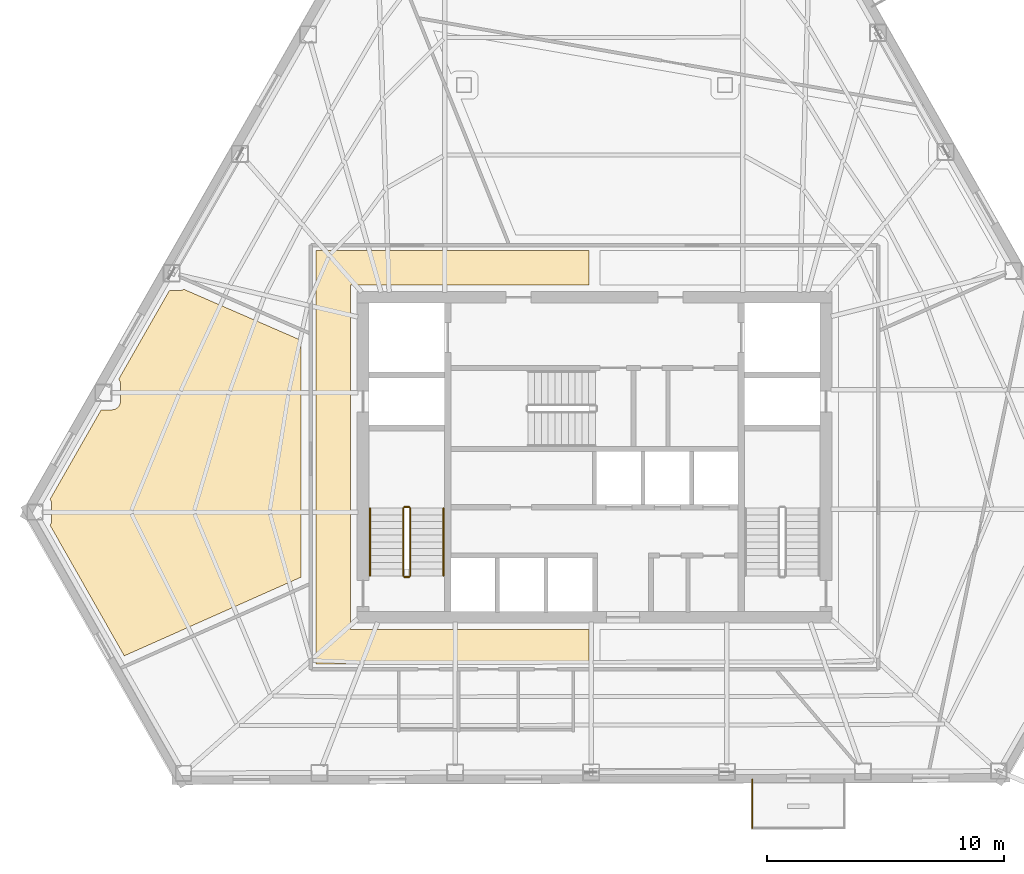
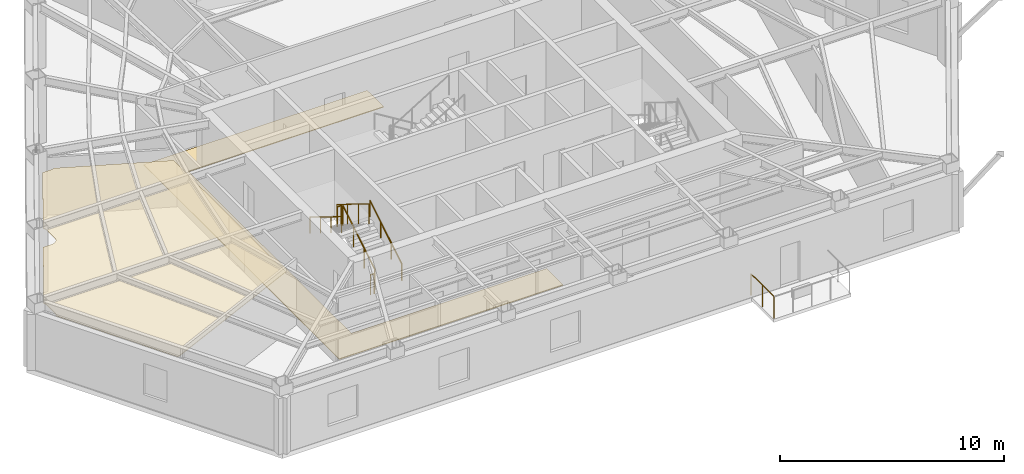
# One storey, part 9 of 11: 7 railings, 2 coverings.
"""IFC4 building model written with IfcOpenShell, lengths in metres."""

from ifc_helpers import new_model, si_unit, direction, frame, origin, origin_2d, place, context, subcontext, project, spatial, polyline, circle, outline, extrude, material, layer, layer_set, type_object, element, save


model = new_model("IFC4")

# Units and contexts
model_context = context("Model", 3, precision=1e-05, world=origin(), true_north=direction((0.0, 1.0)))
body_context = subcontext(model_context, "Body", "Model", "MODEL_VIEW")
ifc_project = project(units=[si_unit("LENGTHUNIT", "METRE"), si_unit("AREAUNIT", "SQUARE_METRE"), si_unit("VOLUMEUNIT", "CUBIC_METRE"), si_unit("PLANEANGLEUNIT", "RADIAN"), si_unit("MASSUNIT", "GRAM", prefix="KILO")], contexts=[model_context])

# Site, building, storey
site_placement = place(None, origin())
site = spatial("IfcSite", under=ifc_project, at=site_placement, CompositionType="ELEMENT")
building_placement = place(site_placement, origin())
building = spatial("IfcBuilding", under=site, at=building_placement, Name="Kavelnor Concourse Tower", CompositionType="ELEMENT")
storey_placement = place(building_placement, frame((0.0, 0.0, 89.35009765625)))
storey = spatial("IfcBuildingStorey", under=building, at=storey_placement, Name="L22", CompositionType="ELEMENT", Elevation=89.35009765625)

# Coverings
ifc_material_1 = material(Name="Mineral fibre acoustic ceiling tile")
ifc_layer_1 = layer(ifc_material_1, 0.0400390625, Name="Mineral fibre acoustic ceiling tile")
ifc_layer_set_1 = layer_set([ifc_layer_1], Name="Mineral fibre acoustic ceiling tile")
covering_type_1 = type_object("IfcCoveringType", Name="COV-CEILING-ACOUSTIC", PredefinedType="CEILING", material=ifc_layer_set_1)
covering_1_placement = place(storey_placement, frame((0.0, 0.0, 2.75)))
element("IfcCovering", 1, at=covering_1_placement, inside=storey, type_object=covering_type_1, Name="L22 Suspended Acoustic Ceiling", PredefinedType="CEILING", context=body_context, shape_type="SweptSolid", body=[
    extrude(outline(polyline([(15.03515625, 13.242431640625), (15.05322265625, 13.272705078125), (15.068359375, 13.3046875), (15.080322265625, 13.337890625), (15.0888671875, 13.372314453125), (15.093994140625, 13.4072265625), (15.095458984375, 13.434326171875), (15.095458984375, 14.130859375), (15.093994140625, 14.157958984375), (15.0888671875, 14.19287109375), (15.080322265625, 14.227294921875), (15.068359375, 14.260498046875), (15.05322265625, 14.29248046875), (15.03515625, 14.32275390625), (15.0302734375, 14.3291015625), (17.1875, 18.102783203125), (17.64501953125, 18.102783203125), (17.671875, 18.10400390625), (17.706787109375, 18.109375), (17.7412109375, 18.117919921875), (17.7744140625, 18.1298828125), (17.806396484375, 18.14501953125), (17.8369140625, 18.1630859375), (17.865234375, 18.18408203125), (17.891357421875, 18.2080078125), (17.915283203125, 18.234130859375), (17.936279296875, 18.2626953125), (17.95458984375, 18.29296875), (17.969482421875, 18.324951171875), (17.9814453125, 18.358154296875), (17.989990234375, 18.392578125), (17.995361328125, 18.427490234375), (17.99658203125, 18.45458984375), (17.99658203125, 19.191162109375), (17.995361328125, 19.218017578125), (17.989990234375, 19.253173828125), (17.9814453125, 19.287353515625), (17.969482421875, 19.32080078125), (17.95458984375, 19.352783203125), (17.936279296875, 19.383056640625), (17.9267578125, 19.39599609375), (20.06884765625, 23.14306640625), (20.526123046875, 23.14306640625), (20.55322265625, 23.144287109375), (20.588134765625, 23.149658203125), (20.62255859375, 23.158203125), (20.65576171875, 23.170166015625), (20.681884765625, 23.1826171875), (25.607421875, 21.039306640625), (25.607421875, 11.036865234375), (18.160400390625, 7.72119140625), (15.029052734375, 13.234130859375), (15.03515625, 13.242431640625)])), origin(), (0.0, 0.0, 1.0), 0.039794921875),
])
ifc_material_2 = material(Name="Honed bluestone and raised access floor finish", Category="masonry")
ifc_layer_2 = layer(ifc_material_2, 0.0400390625, Name="Honed bluestone and raised access floor finish")
ifc_layer_set_2 = layer_set([ifc_layer_2], Name="Honed bluestone and raised access floor finish")
covering_type_2 = type_object("IfcCoveringType", Name="COV-FLOOR-STONE", PredefinedType="FLOORING", material=ifc_layer_set_2)
covering_2_placement = place(storey_placement, frame((0.0, 0.0, 0.001953125)))
element("IfcCovering", 2, at=covering_2_placement, inside=storey, type_object=covering_type_2, Name="L22 Honed Bluestone Floor Finish", PredefinedType="FLOORING", context=body_context, shape_type="SweptSolid", body=[
    extrude(outline(polyline([(26.25, 7.3701171875), (26.25, 24.830078125), (37.77490234375, 24.830078125), (37.77490234375, 23.3701171875), (27.7099609375, 23.3701171875), (27.7099609375, 8.830078125), (37.77490234375, 8.830078125), (37.77490234375, 7.3701171875), (26.25, 7.3701171875)])), origin(), (0.0, 0.0, 1.0), 0.0400390625),
])

# Railings
ifc_material_3 = material(Name="Steel Grade 350", Category="steel")
railing_type_1 = type_object("IfcRailingType", Name="RLG-GUARD-1100", PredefinedType="GUARDRAIL", material=ifc_material_3)
railing_1_placement = place(storey_placement, frame((30.22998046875, 11.10009765625, 0.1748046875)))
element("IfcRailing", 3, at=railing_1_placement, inside=storey, type_object=railing_type_1, Name="L22 ST1 stair guard 1", PredefinedType="GUARDRAIL", context=body_context, shape_type="SweptSolid", body=[
    extrude(circle(Radius=0.02392578125, at=origin_2d()), frame((0.0, 0.0, 1.076171875), z_axis=(0.0, 0.852159232446, 0.523282564737), x_axis=(-1.0, 0.0, 0.0)), (0.0, 0.0, 1.0), 3.34423828125),
    extrude(circle(Radius=0.02099609375, at=origin_2d()), origin(), (0.0, 0.0, 1.0), 1.052001953125),
    extrude(circle(Radius=0.02099609375, at=origin_2d()), frame((0.0, 0.949951171875, 0.583251953125)), (0.0, 0.0, 1.0), 1.052001953125),
    extrude(circle(Radius=0.02099609375, at=origin_2d()), frame((0.0, 1.89990234375, 1.166748046875)), (0.0, 0.0, 1.0), 1.052001953125),
    extrude(circle(Radius=0.02099609375, at=origin_2d()), frame((0.0, 2.849853515625, 1.75)), (0.0, 0.0, 1.0), 1.052001953125),
])
railing_2_placement = place(storey_placement, frame((30.179931640625, 14.0, 1.9248046875)))
element("IfcRailing", 4, at=railing_2_placement, inside=storey, type_object=railing_type_1, Name="L22 ST1 stair guard 2", PredefinedType="GUARDRAIL", context=body_context, shape_type="SweptSolid", body=[
    extrude(circle(Radius=0.02392578125, at=origin_2d()), frame((0.0, 0.0, 1.076171875), z_axis=(-1.0, 0.0, 0.0), x_axis=(0.0, -1.0, 0.0)), (0.0, 0.0, 1.0), 0.199951171875),
    extrude(circle(Radius=0.02099609375, at=origin_2d()), origin(), (0.0, 0.0, 1.0), 1.052001953125),
    extrude(circle(Radius=0.02099609375, at=origin_2d()), frame((-0.199951171875, 0.0, 0.0)), (0.0, 0.0, 1.0), 1.052001953125),
])
railing_3_placement = place(storey_placement, frame((29.929931640625, 13.949951171875, 2.099853515625)))
element("IfcRailing", 5, at=railing_3_placement, inside=storey, type_object=railing_type_1, Name="L22 ST1 stair guard 3", PredefinedType="GUARDRAIL", context=body_context, shape_type="SweptSolid", body=[
    extrude(circle(Radius=0.02392578125, at=origin_2d()), frame((0.0, 0.0, 1.076171875), z_axis=(0.0, -0.852159232446, 0.523282564737), x_axis=(1.0, 0.0, 0.0)), (0.0, 0.0, 1.0), 3.34423828125),
    extrude(circle(Radius=0.02099609375, at=origin_2d()), origin(), (0.0, 0.0, 1.0), 1.052001953125),
    extrude(circle(Radius=0.02099609375, at=origin_2d()), frame((0.0, -0.949951171875, 0.583251953125)), (0.0, 0.0, 1.0), 1.052001953125),
    extrude(circle(Radius=0.02099609375, at=origin_2d()), frame((0.0, -1.89990234375, 1.166748046875)), (0.0, 0.0, 1.0), 1.052001953125),
    extrude(circle(Radius=0.02099609375, at=origin_2d()), frame((0.0, -2.849853515625, 1.75)), (0.0, 0.0, 1.0), 1.052001953125),
])
railing_4_placement = place(storey_placement, frame((30.179931640625, 11.050048828125, 0.0)))
element("IfcRailing", 6, at=railing_4_placement, inside=storey, type_object=railing_type_1, Name="L22 ST1 stair guard 4", PredefinedType="GUARDRAIL", context=body_context, shape_type="SweptSolid", body=[
    extrude(circle(Radius=0.02392578125, at=origin_2d()), frame((0.0, 0.0, 1.076171875), z_axis=(-1.0, 0.0, 0.0), x_axis=(0.0, -1.0, 0.0)), (0.0, 0.0, 1.0), 0.199951171875),
    extrude(circle(Radius=0.02099609375, at=origin_2d()), origin(), (0.0, 0.0, 1.0), 1.052001953125),
    extrude(circle(Radius=0.02099609375, at=origin_2d()), frame((-0.199951171875, 0.0, 0.0)), (0.0, 0.0, 1.0), 1.052001953125),
])
railing_type_2 = type_object("IfcRailingType", Name="RLG-HANDRAIL-900", PredefinedType="HANDRAIL", material=ifc_material_3)
railing_5_placement = place(storey_placement, frame((31.6298828125, 11.10009765625, 0.1748046875)))
element("IfcRailing", 7, at=railing_5_placement, inside=storey, type_object=railing_type_2, Name="L22 ST1 stair handrail 1", PredefinedType="HANDRAIL", context=body_context, shape_type="SweptSolid", body=[
    extrude(circle(Radius=0.02392578125, at=origin_2d()), frame((0.0, 0.0, 0.8759765625), z_axis=(0.0, 0.852159232446, 0.523282564737), x_axis=(-1.0, 0.0, 0.0)), (0.0, 0.0, 1.0), 3.34423828125),
    extrude(circle(Radius=0.02099609375, at=origin_2d()), origin(), (0.0, 0.0, 1.0), 0.851806640625),
    extrude(circle(Radius=0.02099609375, at=origin_2d()), frame((0.0, 0.949951171875, 0.583251953125)), (0.0, 0.0, 1.0), 0.851806640625),
    extrude(circle(Radius=0.02099609375, at=origin_2d()), frame((0.0, 1.89990234375, 1.166748046875)), (0.0, 0.0, 1.0), 0.851806640625),
    extrude(circle(Radius=0.02099609375, at=origin_2d()), frame((0.0, 2.849853515625, 1.75)), (0.0, 0.0, 1.0), 0.851806640625),
])
railing_6_placement = place(storey_placement, frame((28.530029296875, 13.949951171875, 2.099853515625)))
element("IfcRailing", 8, at=railing_6_placement, inside=storey, type_object=railing_type_2, Name="L22 ST1 stair handrail 2", PredefinedType="HANDRAIL", context=body_context, shape_type="SweptSolid", body=[
    extrude(circle(Radius=0.02392578125, at=origin_2d()), frame((0.0, 0.0, 0.8759765625), z_axis=(0.0, -0.852159232446, 0.523282564737), x_axis=(1.0, 0.0, 0.0)), (0.0, 0.0, 1.0), 3.34423828125),
    extrude(circle(Radius=0.02099609375, at=origin_2d()), origin(), (0.0, 0.0, 1.0), 0.851806640625),
    extrude(circle(Radius=0.02099609375, at=origin_2d()), frame((0.0, -0.949951171875, 0.583251953125)), (0.0, 0.0, 1.0), 0.851806640625),
    extrude(circle(Radius=0.02099609375, at=origin_2d()), frame((0.0, -1.89990234375, 1.166748046875)), (0.0, 0.0, 1.0), 0.851806640625),
    extrude(circle(Radius=0.02099609375, at=origin_2d()), frame((0.0, -2.849853515625, 1.75)), (0.0, 0.0, 1.0), 0.851806640625),
])
ifc_material_4 = material(Name="Architectural bronze-anodised aluminium", Category="aluminium")
railing_type_3 = type_object("IfcRailingType", Name="RLG-TERRACE-1200", PredefinedType="BALUSTRADE", material=ifc_material_4)
railing_7_placement = place(storey_placement, frame((44.654296875, 2.506591796875, 0.0)))
element("IfcRailing", 9, at=railing_7_placement, inside=storey, type_object=railing_type_3, Name="L22 Tree Balcony 1 Guardrail L", PredefinedType="BALUSTRADE", context=body_context, shape_type="SweptSolid", body=[
    extrude(circle(Radius=0.02392578125, at=origin_2d()), frame((0.0, 0.0, 1.17578125), z_axis=(0.002620286383, -0.999996567044, 0.0), x_axis=(0.999996567044, 0.002620286383, 0.0)), (0.0, 0.0, 1.0), 2.0498046875),
    extrude(circle(Radius=0.02099609375, at=origin_2d()), origin(), (0.0, 0.0, 1.0), 1.15185546875),
    extrude(circle(Radius=0.02099609375, at=origin_2d()), frame((0.002685546875, -1.02490234375, 0.0)), (0.0, 0.0, 1.0), 1.15185546875),
    extrude(circle(Radius=0.02099609375, at=origin_2d()), frame((0.00537109375, -2.0498046875, 0.0)), (0.0, 0.0, 1.0), 1.15185546875),
])

save(model, "model.ifc")
